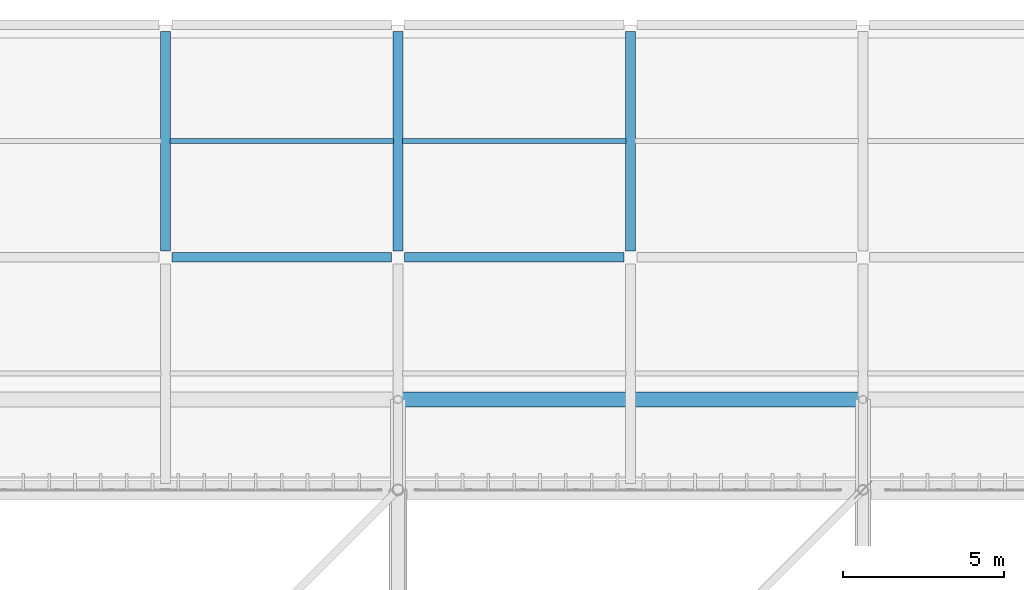
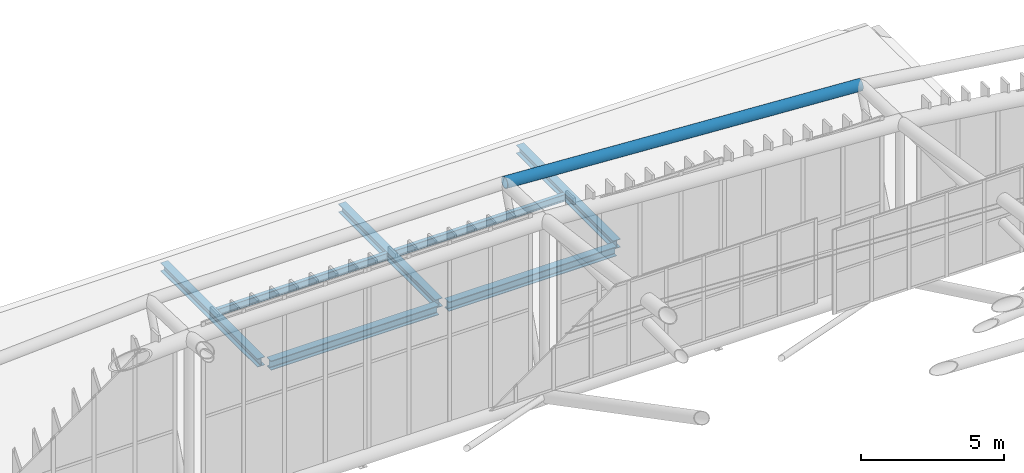
# One storey, part 328 of 397: 8 beams.
"""IFC4 building model written with IfcOpenShell, lengths in metres."""

from ifc_helpers import new_model, si_unit, direction, frame, origin, origin_2d, place, context, subcontext, project, spatial, hollow_circle, i_section, extrude, material, material_profile, profile_set, type_object, element, save


model = new_model("IFC4")

# Units and contexts
model_context = context("Model", 3, precision=1e-05, world=origin(), true_north=direction((0.0, 1.0)))
body_context = subcontext(model_context, "Body", "Model", "MODEL_VIEW")
ifc_project = project(units=[si_unit("LENGTHUNIT", "METRE"), si_unit("AREAUNIT", "SQUARE_METRE"), si_unit("VOLUMEUNIT", "CUBIC_METRE"), si_unit("PLANEANGLEUNIT", "RADIAN"), si_unit("MASSUNIT", "GRAM", prefix="KILO")], contexts=[model_context])

# Site, building, storey
site_placement = place(None, origin())
site = spatial("IfcSite", under=ifc_project, at=site_placement, CompositionType="ELEMENT")
building_placement = place(site_placement, origin())
building = spatial("IfcBuilding", under=site, at=building_placement, Name="Qandorah Velis Arena", CompositionType="ELEMENT")
storey_placement = place(building_placement, frame((0.0, 0.0, 27.5)))
storey = spatial("IfcBuildingStorey", under=building, at=storey_placement, Name="RF", CompositionType="ELEMENT", Elevation=27.5)

# Beams
ifc_material = material(Name="Steel S355", Category="steel")
ifc_material_profile_1 = material_profile(ifc_material, i_section(OverallWidth=0.300048828125, OverallDepth=0.360107421875, WebThickness=0.012451171875, FlangeThickness=0.0224609375, FilletRadius=0.027099609375, at=origin_2d()), Name="HEB 360")
ifc_profile_set_1 = profile_set([ifc_material_profile_1], Name="Steel S355")
beam_type_1 = type_object("IfcBeamType", Name="STR-BM-HEB360", PredefinedType="BEAM", material=ifc_profile_set_1)
for number, where, z_axis, x_axis, name in (
    (1, (64.800048828125, 122.60009765625, -0.39990234375), (0.0, 1.0, 0.0), (-1.0, 0.0, 0.0), "Primary floor girder RF Y-110"),
    (2, (72.0, 122.60009765625, -0.39990234375), (0.0, 1.0, 0.0), (-1.0, 0.0, 0.0), "Primary floor girder RF Y-114"),
    (3, (79.199951171875, 122.60009765625, -0.39990234375), (0.0, 1.0, 0.0), (-1.0, 0.0, 0.0), "Primary floor girder RF Y-118"),
):
    element("IfcBeam", number, at=place(storey_placement, frame(where, z_axis=z_axis, x_axis=x_axis)), inside=storey, type_object=beam_type_1, Name=name, PredefinedType="BEAM", context=body_context, shape_type="SweptSolid", body=[
        extrude(i_section(OverallWidth=0.300048828125, OverallDepth=0.360107421875, WebThickness=0.012451171875, FlangeThickness=0.0224609375, FilletRadius=0.027099609375, at=origin_2d()), origin(), (0.0, 0.0, 1.0), 6.7998046875),
    ])
ifc_material_profile_2 = material_profile(ifc_material, i_section(OverallWidth=0.300048828125, OverallDepth=0.39990234375, WebThickness=0.013427734375, FlangeThickness=0.02392578125, FilletRadius=0.027099609375, at=origin_2d()), Name="HEB 400")
ifc_profile_set_2 = profile_set([ifc_material_profile_2], Name="Steel S355")
beam_type_2 = type_object("IfcBeamType", Name="STR-BM-HEB400", PredefinedType="BEAM", material=ifc_profile_set_2)
for number, where, z_axis, x_axis, name in (
    (4, (65.0, 122.39990234375, -0.419921875), (1.0, 0.0, 0.0), (0.0, 1.0, 0.0), "Primary floor girder RF X-050"),
    (5, (72.199951171875, 122.39990234375, -0.419921875), (1.0, 0.0, 0.0), (0.0, 1.0, 0.0), "Primary floor girder RF X-051"),
):
    element("IfcBeam", number, at=place(storey_placement, frame(where, z_axis=z_axis, x_axis=x_axis)), inside=storey, type_object=beam_type_2, Name=name, PredefinedType="BEAM", context=body_context, shape_type="SweptSolid", body=[
        extrude(i_section(OverallWidth=0.300048828125, OverallDepth=0.39990234375, WebThickness=0.013427734375, FlangeThickness=0.02392578125, FilletRadius=0.027099609375, at=origin_2d()), origin(), (0.0, 0.0, 1.0), 6.800048828125),
    ])
ifc_material_profile_3 = material_profile(ifc_material, i_section(OverallWidth=0.14990234375, OverallDepth=0.300048828125, WebThickness=0.007080078125, FlangeThickness=0.0107421875, FilletRadius=0.014892578125, at=origin_2d()), Name="IPE 300")
ifc_profile_set_3 = profile_set([ifc_material_profile_3], Name="Steel S355")
beam_type_3 = type_object("IfcBeamType", Name="STR-JST-IPE300", PredefinedType="JOIST", material=ifc_profile_set_3)
for number, where, z_axis, x_axis, name in (
    (6, (64.93505859375, 126.0, -0.3701171875), (1.0, 0.0, 0.0), (0.0, 1.0, 0.0), "Secondary floor joist RF-036"),
    (7, (72.135009765625, 126.0, -0.3701171875), (1.0, 0.0, 0.0), (0.0, 1.0, 0.0), "Secondary floor joist RF-040"),
):
    element("IfcBeam", number, at=place(storey_placement, frame(where, z_axis=z_axis, x_axis=x_axis)), inside=storey, type_object=beam_type_3, Name=name, PredefinedType="JOIST", context=body_context, shape_type="SweptSolid", body=[
        extrude(i_section(OverallWidth=0.14990234375, OverallDepth=0.300048828125, WebThickness=0.007080078125, FlangeThickness=0.0107421875, FilletRadius=0.014892578125, at=origin_2d()), origin(), (0.0, 0.0, 1.0), 6.929931640625),
    ])
ifc_material_profile_4 = material_profile(ifc_material, hollow_circle(Radius=0.228515625, WallThickness=0.01611328125, at=origin_2d()), Name="CHS 457x16")
ifc_profile_set_4 = profile_set([ifc_material_profile_4], Name="Steel S355")
beam_type_4 = type_object("IfcBeamType", Name="STR-SFC-CHS457X16", PredefinedType="USERDEFINED", material=ifc_profile_set_4)
beam_placement = place(storey_placement, frame((72.0, 118.0, 7.555908203125), z_axis=(0.998234991644, 0.0, -0.059387721435), x_axis=(0.0, 1.0, 0.0)))
element("IfcBeam", 8, at=beam_placement, inside=storey, type_object=beam_type_4, Name="Space frame eave fascia ring N-4", ObjectType="ROOF TRUSS", PredefinedType="USERDEFINED", context=body_context, shape_type="SweptSolid", body=[
    extrude(hollow_circle(Radius=0.228515625, WallThickness=0.01611328125, at=origin_2d()), origin(), (0.0, 0.0, 1.0), 14.42529296875),
])

save(model, "model.ifc")
